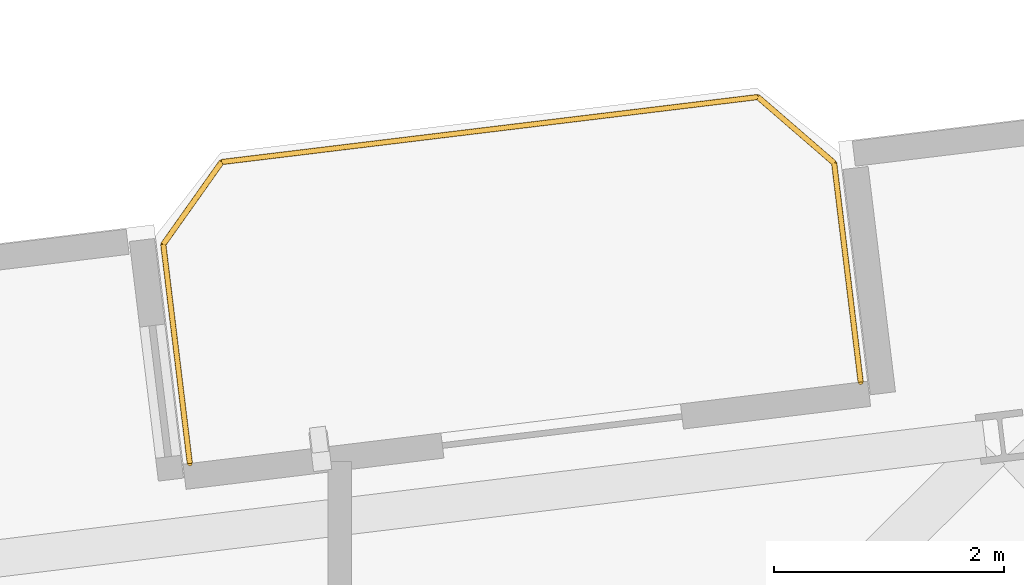
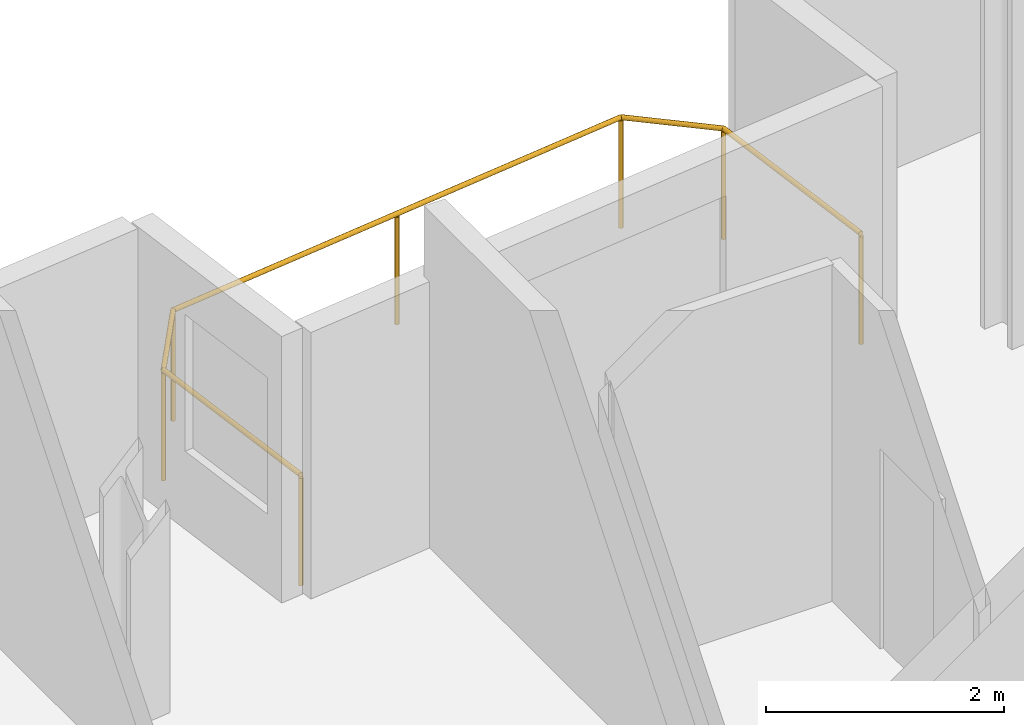
# One storey, part 22 of 22: 1 railing.
"""IFC4 building model written with IfcOpenShell, lengths in metres."""

from ifc_helpers import new_model, si_unit, direction, frame, origin, origin_2d, place, context, subcontext, project, spatial, circle, extrude, material, type_object, element, save


model = new_model("IFC4")

# Units and contexts
model_context = context("Model", 3, precision=1e-05, world=origin(), true_north=direction((0.0, 1.0)))
body_context = subcontext(model_context, "Body", "Model", "MODEL_VIEW")
ifc_project = project(units=[si_unit("LENGTHUNIT", "METRE"), si_unit("AREAUNIT", "SQUARE_METRE"), si_unit("VOLUMEUNIT", "CUBIC_METRE"), si_unit("PLANEANGLEUNIT", "RADIAN"), si_unit("MASSUNIT", "GRAM", prefix="KILO")], contexts=[model_context])

# Site, building, storey
site_placement = place(None, origin())
site = spatial("IfcSite", under=ifc_project, at=site_placement, CompositionType="ELEMENT")
building_placement = place(site_placement, origin())
building = spatial("IfcBuilding", under=site, at=building_placement, Name="Varnelok Gate Tower", CompositionType="ELEMENT")
storey_placement = place(building_placement, frame((0.0, 0.0, 185.699951171875)))
storey = spatial("IfcBuildingStorey", under=building, at=storey_placement, Name="L47", CompositionType="ELEMENT", Elevation=185.699951171875)

# Railing
ifc_material = material(Name="Low-E Laminated Double Glazing IGU", Category="glass")
railing_type = type_object("IfcRailingType", Name="RL-BALC-1150", PredefinedType="BALUSTRADE", material=ifc_material)
railing_placement = place(storey_placement, frame((48.19384765625, 46.335205078125, 0.0)))
element("IfcRailing", 1, at=railing_placement, inside=storey, type_object=railing_type, Name="L47 North Terrace Balustrade 6", PredefinedType="BALUSTRADE", context=body_context, shape_type="SweptSolid", body=[
    extrude(circle(Radius=0.02392578125, at=origin_2d()), frame((0.0, 0.0, 1.1259765625), z_axis=(-0.120293392036, 0.992738384386, 0.0), x_axis=(-0.992738384386, -0.120293392036, 0.0)), (0.0, 0.0, 1.0), 1.919921875),
    extrude(circle(Radius=0.02392578125, at=origin_2d()), frame((-0.23095703125, 1.906005859375, 1.1259765625), z_axis=(0.577971037086, 0.816057277579, 0.0), x_axis=(-0.816057277579, 0.577971037086, 0.0)), (0.0, 0.0, 1.0), 0.877685546875),
    extrude(circle(Radius=0.02392578125, at=origin_2d()), frame((0.2763671875, 2.622314453125, 1.1259765625), z_axis=(0.99273133746, 0.120351533534, 0.0), x_axis=(-0.120351533534, 0.99273133746, 0.0)), (0.0, 0.0, 1.0), 4.7001953125),
    extrude(circle(Radius=0.02392578125, at=origin_2d()), frame((4.9423828125, 3.18798828125, 1.1259765625), z_axis=(0.756303655992, -0.654220742513, 0.0), x_axis=(0.654220742513, 0.756303655992, 0.0)), (0.0, 0.0, 1.0), 0.877685546875),
    extrude(circle(Radius=0.02392578125, at=origin_2d()), frame((5.606201171875, 2.61376953125, 1.1259765625), z_axis=(0.120293392036, -0.992738384386, 0.0), x_axis=(0.992738384386, 0.120293392036, 0.0)), (0.0, 0.0, 1.0), 1.919921875),
    extrude(circle(Radius=0.02099609375, at=origin_2d()), origin(), (0.0, 0.0, 1.0), 1.101806640625),
    extrude(circle(Radius=0.02099609375, at=origin_2d()), frame((-0.23095703125, 1.906005859375, 0.0)), (0.0, 0.0, 1.0), 1.101806640625),
    extrude(circle(Radius=0.02099609375, at=origin_2d()), frame((0.2763671875, 2.622314453125, 0.0)), (0.0, 0.0, 1.0), 1.101806640625),
    extrude(circle(Radius=0.02099609375, at=origin_2d()), frame((2.609375, 2.9052734375, 0.0)), (0.0, 0.0, 1.0), 1.101806640625),
    extrude(circle(Radius=0.02099609375, at=origin_2d()), frame((4.9423828125, 3.18798828125, 0.0)), (0.0, 0.0, 1.0), 1.101806640625),
    extrude(circle(Radius=0.02099609375, at=origin_2d()), frame((5.606201171875, 2.61376953125, 0.0)), (0.0, 0.0, 1.0), 1.101806640625),
    extrude(circle(Radius=0.02099609375, at=origin_2d()), frame((5.837158203125, 0.707763671875, 0.0)), (0.0, 0.0, 1.0), 1.101806640625),
])

save(model, "model.ifc")
